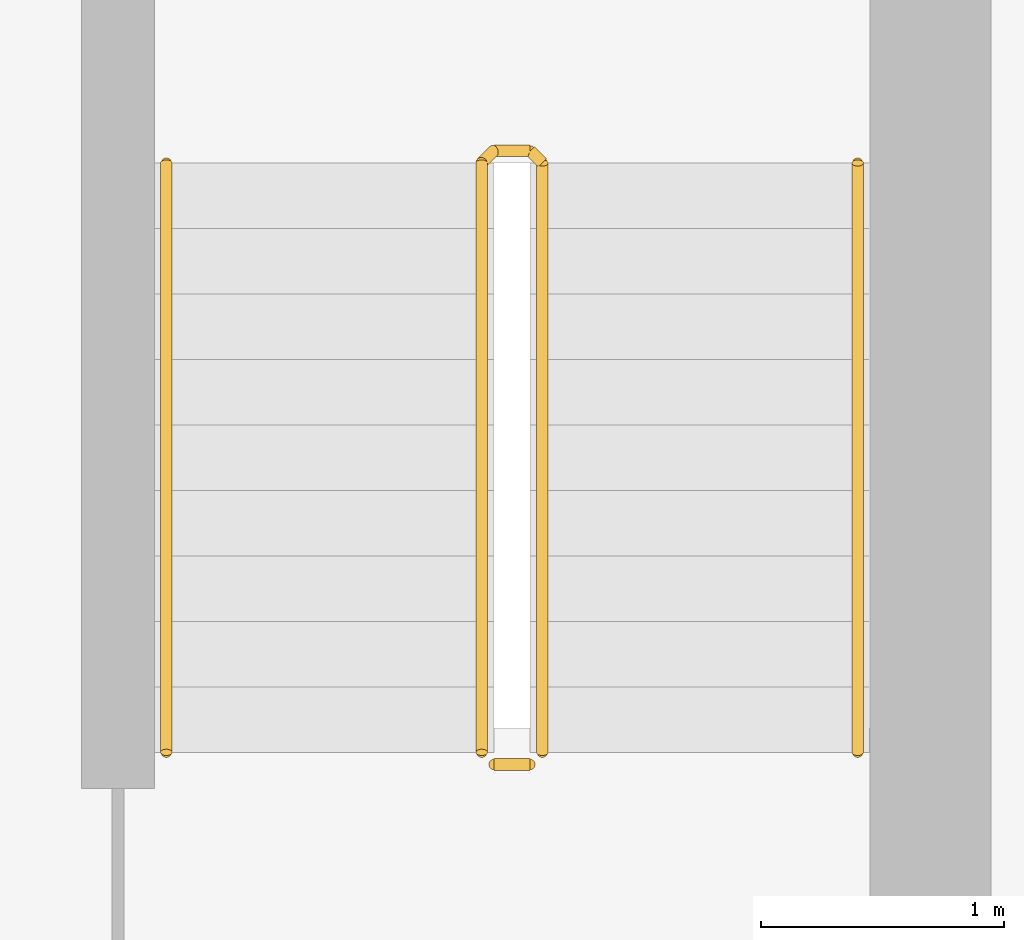
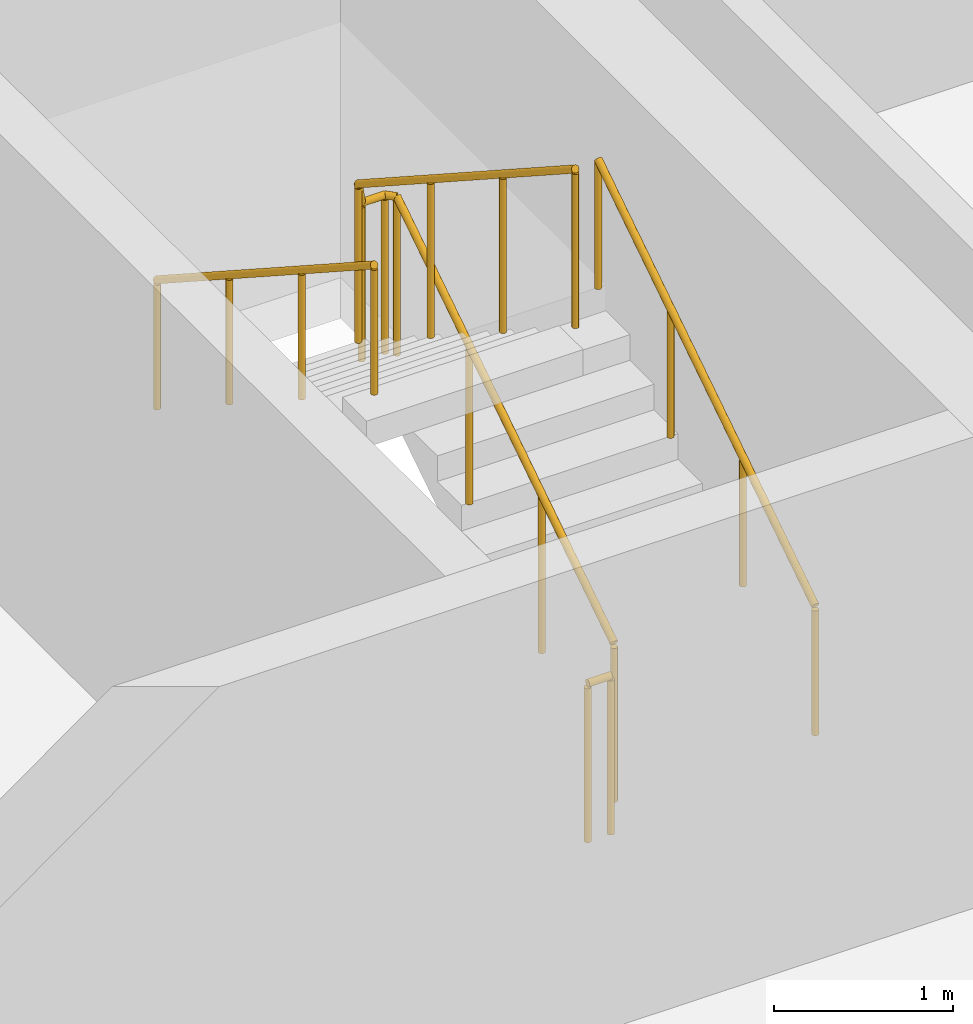
# One storey, part 15 of 18: 4 railings.
"""IFC4 building model written with IfcOpenShell, lengths in metres."""

from ifc_helpers import new_model, si_unit, direction, frame, origin, origin_2d, place, context, subcontext, project, spatial, circle, extrude, material, type_object, element, save


model = new_model("IFC4")

# Units and contexts
model_context = context("Model", 3, precision=1e-05, world=origin(), true_north=direction((0.0, 1.0)))
body_context = subcontext(model_context, "Body", "Model", "MODEL_VIEW")
ifc_project = project(units=[si_unit("LENGTHUNIT", "METRE"), si_unit("AREAUNIT", "SQUARE_METRE"), si_unit("VOLUMEUNIT", "CUBIC_METRE"), si_unit("PLANEANGLEUNIT", "RADIAN"), si_unit("MASSUNIT", "GRAM", prefix="KILO")], contexts=[model_context])

# Site, building, storey
site_placement = place(None, origin())
site = spatial("IfcSite", under=ifc_project, at=site_placement, CompositionType="ELEMENT")
building_placement = place(site_placement, origin())
building = spatial("IfcBuilding", under=site, at=building_placement, Name="Saffron Iwan Residences", CompositionType="ELEMENT")
storey_placement = place(building_placement, frame((0.0, 0.0, 260.5)))
storey = spatial("IfcBuildingStorey", under=building, at=storey_placement, Name="L70", CompositionType="ELEMENT", Elevation=260.5)

# Railings
ifc_material_1 = material(Name="Steel S355", Category="steel")
railing_type_1 = type_object("IfcRailingType", Name="Stair guard 1100", PredefinedType="GUARDRAIL", material=ifc_material_1)
railing_1_placement = place(storey_placement, frame((69.75, 67.85009765625, 0.175048828125)))
element("IfcRailing", 1, at=railing_1_placement, inside=storey, type_object=railing_type_1, Name="L70 ST-E stair guard 1", PredefinedType="GUARDRAIL", context=body_context, shape_type="SweptSolid", body=[
    extrude(circle(Radius=0.02392578125, at=origin_2d()), frame((0.0, 0.0, 1.076171875), z_axis=(0.0, 0.839153699163, 0.543894354798), x_axis=(-1.0, 0.0, 0.0)), (0.0, 0.0, 1.0), 2.895751953125),
    extrude(circle(Radius=0.02392578125, at=origin_2d()), frame((0.0, 2.429931640625, 2.65087890625), z_axis=(-0.707106781187, 0.707106781187, 0.0), x_axis=(-0.707106781187, -0.707106781187, 0.0)), (0.0, 0.0, 1.0), 0.07080078125),
    extrude(circle(Radius=0.02392578125, at=origin_2d()), frame((-0.050048828125, 2.47998046875, 2.65087890625), z_axis=(-1.0, 0.0, 0.0), x_axis=(0.0, -1.0, 0.0)), (0.0, 0.0, 1.0), 0.14990234375),
    extrude(circle(Radius=0.02392578125, at=origin_2d()), frame((-0.199951171875, 2.47998046875, 2.65087890625), z_axis=(-0.265065253269, -0.265065253269, 0.927081885822), x_axis=(0.707106781187, -0.707106781187, 0.0)), (0.0, 0.0, 1.0), 0.188720703125),
    extrude(circle(Radius=0.02392578125, at=origin_2d()), frame((-0.25, 2.429931640625, 2.826171875), z_axis=(0.0, -0.839153699163, 0.543894354798), x_axis=(1.0, 0.0, 0.0)), (0.0, 0.0, 1.0), 2.895751953125),
    extrude(circle(Radius=0.02099609375, at=origin_2d()), origin(), (0.0, 0.0, 1.0), 1.052001953125),
    extrude(circle(Radius=0.02099609375, at=origin_2d()), frame((0.0, 0.81005859375, 0.52490234375)), (0.0, 0.0, 1.0), 1.052001953125),
    extrude(circle(Radius=0.02099609375, at=origin_2d()), frame((0.0, 1.619873046875, 1.050048828125)), (0.0, 0.0, 1.0), 1.052001953125),
    extrude(circle(Radius=0.02099609375, at=origin_2d()), frame((0.0, 2.429931640625, 1.574951171875)), (0.0, 0.0, 1.0), 1.052001953125),
    extrude(circle(Radius=0.02099609375, at=origin_2d()), frame((-0.050048828125, 2.47998046875, 1.574951171875)), (0.0, 0.0, 1.0), 1.052001953125),
    extrude(circle(Radius=0.02099609375, at=origin_2d()), frame((-0.199951171875, 2.47998046875, 1.574951171875)), (0.0, 0.0, 1.0), 1.052001953125),
    extrude(circle(Radius=0.02099609375, at=origin_2d()), frame((-0.25, 2.429931640625, 1.75)), (0.0, 0.0, 1.0), 1.052001953125),
    extrude(circle(Radius=0.02099609375, at=origin_2d()), frame((-0.25, 1.619873046875, 2.27490234375)), (0.0, 0.0, 1.0), 1.052001953125),
    extrude(circle(Radius=0.02099609375, at=origin_2d()), frame((-0.25, 0.81005859375, 2.800048828125)), (0.0, 0.0, 1.0), 1.052001953125),
    extrude(circle(Radius=0.02099609375, at=origin_2d()), frame((-0.25, 0.0, 3.324951171875)), (0.0, 0.0, 1.0), 1.052001953125),
])
railing_2_placement = place(storey_placement, frame((69.699951171875, 67.800048828125, 0.0)))
element("IfcRailing", 2, at=railing_2_placement, inside=storey, type_object=railing_type_1, Name="L70 ST-E stair guard 2", PredefinedType="GUARDRAIL", context=body_context, shape_type="SweptSolid", body=[
    extrude(circle(Radius=0.02392578125, at=origin_2d()), frame((0.0, 0.0, 1.076171875), z_axis=(-1.0, 0.0, 0.0), x_axis=(0.0, -1.0, 0.0)), (0.0, 0.0, 1.0), 0.14990234375),
    extrude(circle(Radius=0.02099609375, at=origin_2d()), origin(), (0.0, 0.0, 1.0), 1.052001953125),
    extrude(circle(Radius=0.02099609375, at=origin_2d()), frame((-0.14990234375, 0.0, 0.0)), (0.0, 0.0, 1.0), 1.052001953125),
])
ifc_material_2 = material(Name="Stainless steel 316", Category="steel")
railing_type_2 = type_object("IfcRailingType", Name="Stair handrail 900", PredefinedType="HANDRAIL", material=ifc_material_2)
railing_3_placement = place(storey_placement, frame((71.050048828125, 67.85009765625, 0.175048828125)))
element("IfcRailing", 3, at=railing_3_placement, inside=storey, type_object=railing_type_2, Name="L70 ST-E stair handrail 1", PredefinedType="HANDRAIL", context=body_context, shape_type="SweptSolid", body=[
    extrude(circle(Radius=0.02392578125, at=origin_2d()), frame((0.0, 0.0, 0.8759765625), z_axis=(0.0, 0.839153699163, 0.543894354798), x_axis=(-1.0, 0.0, 0.0)), (0.0, 0.0, 1.0), 2.895751953125),
    extrude(circle(Radius=0.02099609375, at=origin_2d()), origin(), (0.0, 0.0, 1.0), 0.851806640625),
    extrude(circle(Radius=0.02099609375, at=origin_2d()), frame((0.0, 0.81005859375, 0.52490234375)), (0.0, 0.0, 1.0), 0.851806640625),
    extrude(circle(Radius=0.02099609375, at=origin_2d()), frame((0.0, 1.619873046875, 1.050048828125)), (0.0, 0.0, 1.0), 0.851806640625),
    extrude(circle(Radius=0.02099609375, at=origin_2d()), frame((0.0, 2.429931640625, 1.574951171875)), (0.0, 0.0, 1.0), 0.851806640625),
])
railing_4_placement = place(storey_placement, frame((68.199951171875, 70.280029296875, 1.925048828125)))
element("IfcRailing", 4, at=railing_4_placement, inside=storey, type_object=railing_type_2, Name="L70 ST-E stair handrail 2", PredefinedType="HANDRAIL", context=body_context, shape_type="SweptSolid", body=[
    extrude(circle(Radius=0.02392578125, at=origin_2d()), frame((0.0, 0.0, 0.8759765625), z_axis=(0.0, -0.839153699163, 0.543894354798), x_axis=(1.0, 0.0, 0.0)), (0.0, 0.0, 1.0), 2.895751953125),
    extrude(circle(Radius=0.02099609375, at=origin_2d()), origin(), (0.0, 0.0, 1.0), 0.851806640625),
    extrude(circle(Radius=0.02099609375, at=origin_2d()), frame((0.0, -0.81005859375, 0.52490234375)), (0.0, 0.0, 1.0), 0.851806640625),
    extrude(circle(Radius=0.02099609375, at=origin_2d()), frame((0.0, -1.619873046875, 1.050048828125)), (0.0, 0.0, 1.0), 0.851806640625),
    extrude(circle(Radius=0.02099609375, at=origin_2d()), frame((0.0, -2.429931640625, 1.574951171875)), (0.0, 0.0, 1.0), 0.851806640625),
])

save(model, "model.ifc")
